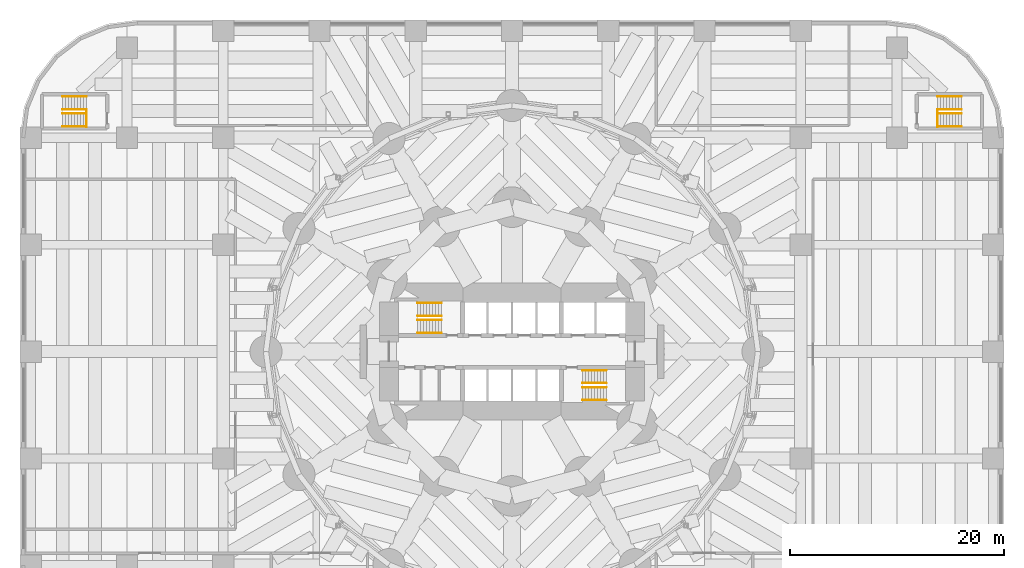
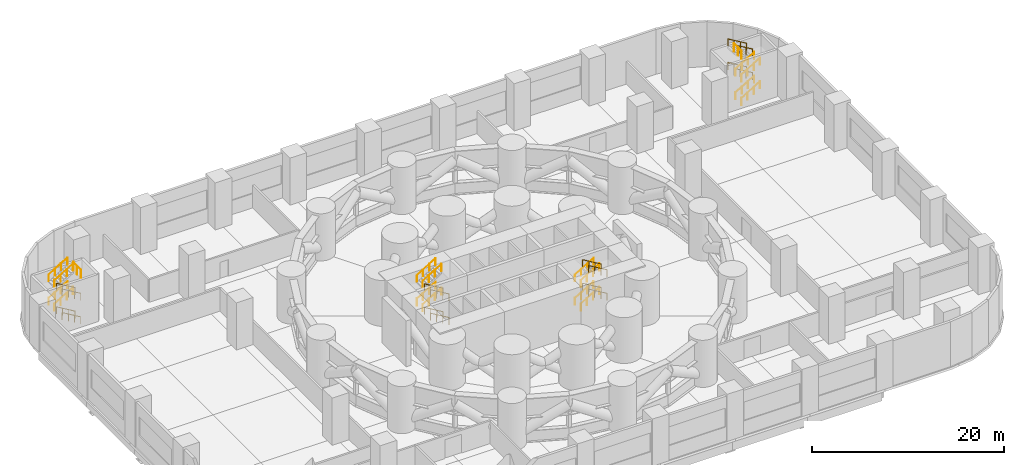
# One storey, part 14 of 14: 34 railings.
"""IFC4 building model written with IfcOpenShell, lengths in metres."""

from ifc_helpers import new_model, si_unit, direction, frame, origin, origin_2d, place, context, subcontext, project, spatial, circle, extrude, material, type_object, element, save


model = new_model("IFC4")

# Units and contexts
model_context = context("Model", 3, precision=1e-05, world=origin(), true_north=direction((0.0, 1.0)))
body_context = subcontext(model_context, "Body", "Model", "MODEL_VIEW")
ifc_project = project(units=[si_unit("LENGTHUNIT", "METRE"), si_unit("AREAUNIT", "SQUARE_METRE"), si_unit("VOLUMEUNIT", "CUBIC_METRE"), si_unit("PLANEANGLEUNIT", "RADIAN"), si_unit("MASSUNIT", "GRAM", prefix="KILO")], contexts=[model_context])

# Site, building, storey
site_placement = place(None, origin())
site = spatial("IfcSite", under=ifc_project, at=site_placement, CompositionType="ELEMENT")
building_placement = place(site_placement, origin())
building = spatial("IfcBuilding", under=site, at=building_placement, Name="Qaws Media Tower", CompositionType="ELEMENT")
storey_placement = place(building_placement, frame((0.0, 0.0, 20.0)))
storey = spatial("IfcBuildingStorey", under=building, at=storey_placement, Name="L03", CompositionType="ELEMENT", Elevation=20.0)

# Railings
ifc_material_1 = material(Name="Stainless steel and glass guard", Category="steel")
railing_type_1 = type_object("IfcRailingType", Name="Balcony guard 1100", PredefinedType="GUARDRAIL", material=ifc_material_1)
for number, where, name in (
    (1, (20.219970703125, 71.0, 6.0), "GR1 guard S3 top landing L03"),
    (2, (99.780029296875, 71.0, 6.0), "GR1 guard S4 top landing L03"),
):
    element("IfcRailing", number, at=place(storey_placement, frame(where)), inside=storey, type_object=railing_type_1, Name=name, PredefinedType="GUARDRAIL", context=body_context, shape_type="SweptSolid", body=[
        extrude(circle(Radius=0.02392578125, at=origin_2d()), frame((0.0, 0.0, 1.076171875), z_axis=(0.0, 1.0, 0.0), x_axis=(-1.0, 0.0, 0.0)), (0.0, 0.0, 1.0), 1.590087890625),
        extrude(circle(Radius=0.02099609375, at=origin_2d()), origin(), (0.0, 0.0, 1.0), 1.052001953125),
        extrude(circle(Radius=0.02099609375, at=origin_2d()), frame((0.0, 0.794921875, 0.0)), (0.0, 0.0, 1.0), 1.052001953125),
        extrude(circle(Radius=0.02099609375, at=origin_2d()), frame((0.0, 1.590087890625, 0.0)), (0.0, 0.0, 1.0), 1.052001953125),
    ])
ifc_material_2 = material(Name="Steel tube handrail", Category="steel")
railing_type_2 = type_object("IfcRailingType", Name="Stair handrail 900", PredefinedType="HANDRAIL", material=ifc_material_2)
for number, where, name in (
    (3, (53.419921875, 51.75, 0.166748046875), "HR1 handrail S1 flight 1 L03"),
    (4, (53.419921875, 52.9599609375, 0.166748046875), "HR1 handrail S1 flight 1 L03"),
):
    element("IfcRailing", number, at=place(storey_placement, frame(where)), inside=storey, type_object=railing_type_2, Name=name, PredefinedType="HANDRAIL", context=body_context, shape_type="SweptSolid", body=[
        extrude(circle(Radius=0.02392578125, at=origin_2d()), frame((0.0, 0.0, 0.8759765625), z_axis=(-0.859305625298, 0.0, 0.511462454469), x_axis=(0.0, -1.0, 0.0)), (0.0, 0.0, 1.0), 2.606689453125),
        extrude(circle(Radius=0.02099609375, at=origin_2d()), origin(), (0.0, 0.0, 1.0), 0.851806640625),
        extrude(circle(Radius=0.02099609375, at=origin_2d()), frame((-0.74658203125, 0.0, 0.4443359375)), (0.0, 0.0, 1.0), 0.851806640625),
        extrude(circle(Radius=0.02099609375, at=origin_2d()), frame((-1.493408203125, 0.0, 0.888916015625)), (0.0, 0.0, 1.0), 0.851806640625),
        extrude(circle(Radius=0.02099609375, at=origin_2d()), frame((-2.239990234375, 0.0, 1.333251953125)), (0.0, 0.0, 1.0), 0.851806640625),
    ])
for number, where, name in (
    (5, (51.179931640625, 54.550048828125, 1.666748046875), "HR1 handrail S1 flight 2 L03"),
    (6, (51.179931640625, 53.340087890625, 1.666748046875), "HR1 handrail S1 flight 2 L03"),
):
    element("IfcRailing", number, at=place(storey_placement, frame(where)), inside=storey, type_object=railing_type_2, Name=name, PredefinedType="HANDRAIL", context=body_context, shape_type="SweptSolid", body=[
        extrude(circle(Radius=0.02392578125, at=origin_2d()), frame((0.0, 0.0, 0.8759765625), z_axis=(0.859305625298, 0.0, 0.511462454469), x_axis=(0.0, 1.0, 0.0)), (0.0, 0.0, 1.0), 2.606689453125),
        extrude(circle(Radius=0.02099609375, at=origin_2d()), origin(), (0.0, 0.0, 1.0), 0.851806640625),
        extrude(circle(Radius=0.02099609375, at=origin_2d()), frame((0.74658203125, 0.0, 0.4443359375)), (0.0, 0.0, 1.0), 0.851806640625),
        extrude(circle(Radius=0.02099609375, at=origin_2d()), frame((1.493408203125, 0.0, 0.888916015625)), (0.0, 0.0, 1.0), 0.851806640625),
        extrude(circle(Radius=0.02099609375, at=origin_2d()), frame((2.239990234375, 0.0, 1.333251953125)), (0.0, 0.0, 1.0), 0.851806640625),
    ])
for number, where, name in (
    (7, (53.419921875, 51.75, 3.166748046875), "HR1 handrail S1 flight 3 L03"),
    (8, (53.419921875, 52.9599609375, 3.166748046875), "HR1 handrail S1 flight 3 L03"),
):
    element("IfcRailing", number, at=place(storey_placement, frame(where)), inside=storey, type_object=railing_type_2, Name=name, PredefinedType="HANDRAIL", context=body_context, shape_type="SweptSolid", body=[
        extrude(circle(Radius=0.02392578125, at=origin_2d()), frame((0.0, 0.0, 0.8759765625), z_axis=(-0.859305625298, 0.0, 0.511462454469), x_axis=(0.0, -1.0, 0.0)), (0.0, 0.0, 1.0), 2.606689453125),
        extrude(circle(Radius=0.02099609375, at=origin_2d()), origin(), (0.0, 0.0, 1.0), 0.851806640625),
        extrude(circle(Radius=0.02099609375, at=origin_2d()), frame((-0.74658203125, 0.0, 0.4443359375)), (0.0, 0.0, 1.0), 0.851806640625),
        extrude(circle(Radius=0.02099609375, at=origin_2d()), frame((-1.493408203125, 0.0, 0.888916015625)), (0.0, 0.0, 1.0), 0.851806640625),
        extrude(circle(Radius=0.02099609375, at=origin_2d()), frame((-2.239990234375, 0.0, 1.333251953125)), (0.0, 0.0, 1.0), 0.851806640625),
    ])
for number, where, name in (
    (9, (51.179931640625, 54.550048828125, 4.666748046875), "HR1 handrail S1 flight 4 L03"),
    (10, (51.179931640625, 53.340087890625, 4.666748046875), "HR1 handrail S1 flight 4 L03"),
    (11, (66.580078125, 48.25, 0.166748046875), "HR1 handrail S2 flight 1 L03"),
    (12, (66.580078125, 47.0400390625, 0.166748046875), "HR1 handrail S2 flight 1 L03"),
):
    element("IfcRailing", number, at=place(storey_placement, frame(where)), inside=storey, type_object=railing_type_2, Name=name, PredefinedType="HANDRAIL", context=body_context, shape_type="SweptSolid", body=[
        extrude(circle(Radius=0.02392578125, at=origin_2d()), frame((0.0, 0.0, 0.8759765625), z_axis=(0.859305625298, 0.0, 0.511462454469), x_axis=(0.0, 1.0, 0.0)), (0.0, 0.0, 1.0), 2.606689453125),
        extrude(circle(Radius=0.02099609375, at=origin_2d()), origin(), (0.0, 0.0, 1.0), 0.851806640625),
        extrude(circle(Radius=0.02099609375, at=origin_2d()), frame((0.74658203125, 0.0, 0.4443359375)), (0.0, 0.0, 1.0), 0.851806640625),
        extrude(circle(Radius=0.02099609375, at=origin_2d()), frame((1.493408203125, 0.0, 0.888916015625)), (0.0, 0.0, 1.0), 0.851806640625),
        extrude(circle(Radius=0.02099609375, at=origin_2d()), frame((2.239990234375, 0.0, 1.333251953125)), (0.0, 0.0, 1.0), 0.851806640625),
    ])
for number, where, name in (
    (13, (68.820068359375, 45.449951171875, 1.666748046875), "HR1 handrail S2 flight 2 L03"),
    (14, (68.820068359375, 46.659912109375, 1.666748046875), "HR1 handrail S2 flight 2 L03"),
):
    element("IfcRailing", number, at=place(storey_placement, frame(where)), inside=storey, type_object=railing_type_2, Name=name, PredefinedType="HANDRAIL", context=body_context, shape_type="SweptSolid", body=[
        extrude(circle(Radius=0.02392578125, at=origin_2d()), frame((0.0, 0.0, 0.8759765625), z_axis=(-0.859305625298, 0.0, 0.511462454469), x_axis=(0.0, -1.0, 0.0)), (0.0, 0.0, 1.0), 2.606689453125),
        extrude(circle(Radius=0.02099609375, at=origin_2d()), origin(), (0.0, 0.0, 1.0), 0.851806640625),
        extrude(circle(Radius=0.02099609375, at=origin_2d()), frame((-0.74658203125, 0.0, 0.4443359375)), (0.0, 0.0, 1.0), 0.851806640625),
        extrude(circle(Radius=0.02099609375, at=origin_2d()), frame((-1.493408203125, 0.0, 0.888916015625)), (0.0, 0.0, 1.0), 0.851806640625),
        extrude(circle(Radius=0.02099609375, at=origin_2d()), frame((-2.239990234375, 0.0, 1.333251953125)), (0.0, 0.0, 1.0), 0.851806640625),
    ])
for number, where, name in (
    (15, (66.580078125, 48.25, 3.166748046875), "HR1 handrail S2 flight 3 L03"),
    (16, (66.580078125, 47.0400390625, 3.166748046875), "HR1 handrail S2 flight 3 L03"),
):
    element("IfcRailing", number, at=place(storey_placement, frame(where)), inside=storey, type_object=railing_type_2, Name=name, PredefinedType="HANDRAIL", context=body_context, shape_type="SweptSolid", body=[
        extrude(circle(Radius=0.02392578125, at=origin_2d()), frame((0.0, 0.0, 0.8759765625), z_axis=(0.859305625298, 0.0, 0.511462454469), x_axis=(0.0, 1.0, 0.0)), (0.0, 0.0, 1.0), 2.606689453125),
        extrude(circle(Radius=0.02099609375, at=origin_2d()), origin(), (0.0, 0.0, 1.0), 0.851806640625),
        extrude(circle(Radius=0.02099609375, at=origin_2d()), frame((0.74658203125, 0.0, 0.4443359375)), (0.0, 0.0, 1.0), 0.851806640625),
        extrude(circle(Radius=0.02099609375, at=origin_2d()), frame((1.493408203125, 0.0, 0.888916015625)), (0.0, 0.0, 1.0), 0.851806640625),
        extrude(circle(Radius=0.02099609375, at=origin_2d()), frame((2.239990234375, 0.0, 1.333251953125)), (0.0, 0.0, 1.0), 0.851806640625),
    ])
for number, where, name in (
    (17, (68.820068359375, 45.449951171875, 4.666748046875), "HR1 handrail S2 flight 4 L03"),
    (18, (68.820068359375, 46.659912109375, 4.666748046875), "HR1 handrail S2 flight 4 L03"),
    (19, (20.219970703125, 71.050048828125, 0.166748046875), "HR1 handrail S3 flight 1 L03"),
    (20, (20.219970703125, 72.260009765625, 0.166748046875), "HR1 handrail S3 flight 1 L03"),
):
    element("IfcRailing", number, at=place(storey_placement, frame(where)), inside=storey, type_object=railing_type_2, Name=name, PredefinedType="HANDRAIL", context=body_context, shape_type="SweptSolid", body=[
        extrude(circle(Radius=0.02392578125, at=origin_2d()), frame((0.0, 0.0, 0.8759765625), z_axis=(-0.859305625298, 0.0, 0.511462454469), x_axis=(0.0, -1.0, 0.0)), (0.0, 0.0, 1.0), 2.606689453125),
        extrude(circle(Radius=0.02099609375, at=origin_2d()), origin(), (0.0, 0.0, 1.0), 0.851806640625),
        extrude(circle(Radius=0.02099609375, at=origin_2d()), frame((-0.74658203125, 0.0, 0.4443359375)), (0.0, 0.0, 1.0), 0.851806640625),
        extrude(circle(Radius=0.02099609375, at=origin_2d()), frame((-1.493408203125, 0.0, 0.888916015625)), (0.0, 0.0, 1.0), 0.851806640625),
        extrude(circle(Radius=0.02099609375, at=origin_2d()), frame((-2.239990234375, 0.0, 1.333251953125)), (0.0, 0.0, 1.0), 0.851806640625),
    ])
for number, where, name in (
    (21, (17.97998046875, 73.85009765625, 1.666748046875), "HR1 handrail S3 flight 2 L03"),
    (22, (17.97998046875, 72.639892578125, 1.666748046875), "HR1 handrail S3 flight 2 L03"),
):
    element("IfcRailing", number, at=place(storey_placement, frame(where)), inside=storey, type_object=railing_type_2, Name=name, PredefinedType="HANDRAIL", context=body_context, shape_type="SweptSolid", body=[
        extrude(circle(Radius=0.02392578125, at=origin_2d()), frame((0.0, 0.0, 0.8759765625), z_axis=(0.859305625298, 0.0, 0.511462454469), x_axis=(0.0, 1.0, 0.0)), (0.0, 0.0, 1.0), 2.606689453125),
        extrude(circle(Radius=0.02099609375, at=origin_2d()), origin(), (0.0, 0.0, 1.0), 0.851806640625),
        extrude(circle(Radius=0.02099609375, at=origin_2d()), frame((0.74658203125, 0.0, 0.4443359375)), (0.0, 0.0, 1.0), 0.851806640625),
        extrude(circle(Radius=0.02099609375, at=origin_2d()), frame((1.493408203125, 0.0, 0.888916015625)), (0.0, 0.0, 1.0), 0.851806640625),
        extrude(circle(Radius=0.02099609375, at=origin_2d()), frame((2.239990234375, 0.0, 1.333251953125)), (0.0, 0.0, 1.0), 0.851806640625),
    ])
for number, where, name in (
    (23, (20.219970703125, 71.050048828125, 3.166748046875), "HR1 handrail S3 flight 3 L03"),
    (24, (20.219970703125, 72.260009765625, 3.166748046875), "HR1 handrail S3 flight 3 L03"),
):
    element("IfcRailing", number, at=place(storey_placement, frame(where)), inside=storey, type_object=railing_type_2, Name=name, PredefinedType="HANDRAIL", context=body_context, shape_type="SweptSolid", body=[
        extrude(circle(Radius=0.02392578125, at=origin_2d()), frame((0.0, 0.0, 0.8759765625), z_axis=(-0.859305625298, 0.0, 0.511462454469), x_axis=(0.0, -1.0, 0.0)), (0.0, 0.0, 1.0), 2.606689453125),
        extrude(circle(Radius=0.02099609375, at=origin_2d()), origin(), (0.0, 0.0, 1.0), 0.851806640625),
        extrude(circle(Radius=0.02099609375, at=origin_2d()), frame((-0.74658203125, 0.0, 0.4443359375)), (0.0, 0.0, 1.0), 0.851806640625),
        extrude(circle(Radius=0.02099609375, at=origin_2d()), frame((-1.493408203125, 0.0, 0.888916015625)), (0.0, 0.0, 1.0), 0.851806640625),
        extrude(circle(Radius=0.02099609375, at=origin_2d()), frame((-2.239990234375, 0.0, 1.333251953125)), (0.0, 0.0, 1.0), 0.851806640625),
    ])
for number, where, name in (
    (25, (17.97998046875, 73.85009765625, 4.666748046875), "HR1 handrail S3 flight 4 L03"),
    (26, (17.97998046875, 72.639892578125, 4.666748046875), "HR1 handrail S3 flight 4 L03"),
    (27, (99.780029296875, 71.050048828125, 0.166748046875), "HR1 handrail S4 flight 1 L03"),
    (28, (99.780029296875, 72.260009765625, 0.166748046875), "HR1 handrail S4 flight 1 L03"),
):
    element("IfcRailing", number, at=place(storey_placement, frame(where)), inside=storey, type_object=railing_type_2, Name=name, PredefinedType="HANDRAIL", context=body_context, shape_type="SweptSolid", body=[
        extrude(circle(Radius=0.02392578125, at=origin_2d()), frame((0.0, 0.0, 0.8759765625), z_axis=(0.859305625298, 0.0, 0.511462454469), x_axis=(0.0, 1.0, 0.0)), (0.0, 0.0, 1.0), 2.606689453125),
        extrude(circle(Radius=0.02099609375, at=origin_2d()), origin(), (0.0, 0.0, 1.0), 0.851806640625),
        extrude(circle(Radius=0.02099609375, at=origin_2d()), frame((0.74658203125, 0.0, 0.4443359375)), (0.0, 0.0, 1.0), 0.851806640625),
        extrude(circle(Radius=0.02099609375, at=origin_2d()), frame((1.493408203125, 0.0, 0.888916015625)), (0.0, 0.0, 1.0), 0.851806640625),
        extrude(circle(Radius=0.02099609375, at=origin_2d()), frame((2.239990234375, 0.0, 1.333251953125)), (0.0, 0.0, 1.0), 0.851806640625),
    ])
for number, where, name in (
    (29, (102.02001953125, 73.85009765625, 1.666748046875), "HR1 handrail S4 flight 2 L03"),
    (30, (102.02001953125, 72.639892578125, 1.666748046875), "HR1 handrail S4 flight 2 L03"),
):
    element("IfcRailing", number, at=place(storey_placement, frame(where)), inside=storey, type_object=railing_type_2, Name=name, PredefinedType="HANDRAIL", context=body_context, shape_type="SweptSolid", body=[
        extrude(circle(Radius=0.02392578125, at=origin_2d()), frame((0.0, 0.0, 0.8759765625), z_axis=(-0.859305625298, 0.0, 0.511462454469), x_axis=(0.0, -1.0, 0.0)), (0.0, 0.0, 1.0), 2.606689453125),
        extrude(circle(Radius=0.02099609375, at=origin_2d()), origin(), (0.0, 0.0, 1.0), 0.851806640625),
        extrude(circle(Radius=0.02099609375, at=origin_2d()), frame((-0.74658203125, 0.0, 0.4443359375)), (0.0, 0.0, 1.0), 0.851806640625),
        extrude(circle(Radius=0.02099609375, at=origin_2d()), frame((-1.493408203125, 0.0, 0.888916015625)), (0.0, 0.0, 1.0), 0.851806640625),
        extrude(circle(Radius=0.02099609375, at=origin_2d()), frame((-2.239990234375, 0.0, 1.333251953125)), (0.0, 0.0, 1.0), 0.851806640625),
    ])
for number, where, name in (
    (31, (99.780029296875, 71.050048828125, 3.166748046875), "HR1 handrail S4 flight 3 L03"),
    (32, (99.780029296875, 72.260009765625, 3.166748046875), "HR1 handrail S4 flight 3 L03"),
):
    element("IfcRailing", number, at=place(storey_placement, frame(where)), inside=storey, type_object=railing_type_2, Name=name, PredefinedType="HANDRAIL", context=body_context, shape_type="SweptSolid", body=[
        extrude(circle(Radius=0.02392578125, at=origin_2d()), frame((0.0, 0.0, 0.8759765625), z_axis=(0.859305625298, 0.0, 0.511462454469), x_axis=(0.0, 1.0, 0.0)), (0.0, 0.0, 1.0), 2.606689453125),
        extrude(circle(Radius=0.02099609375, at=origin_2d()), origin(), (0.0, 0.0, 1.0), 0.851806640625),
        extrude(circle(Radius=0.02099609375, at=origin_2d()), frame((0.74658203125, 0.0, 0.4443359375)), (0.0, 0.0, 1.0), 0.851806640625),
        extrude(circle(Radius=0.02099609375, at=origin_2d()), frame((1.493408203125, 0.0, 0.888916015625)), (0.0, 0.0, 1.0), 0.851806640625),
        extrude(circle(Radius=0.02099609375, at=origin_2d()), frame((2.239990234375, 0.0, 1.333251953125)), (0.0, 0.0, 1.0), 0.851806640625),
    ])
for number, where, name in (
    (33, (102.02001953125, 73.85009765625, 4.666748046875), "HR1 handrail S4 flight 4 L03"),
    (34, (102.02001953125, 72.639892578125, 4.666748046875), "HR1 handrail S4 flight 4 L03"),
):
    element("IfcRailing", number, at=place(storey_placement, frame(where)), inside=storey, type_object=railing_type_2, Name=name, PredefinedType="HANDRAIL", context=body_context, shape_type="SweptSolid", body=[
        extrude(circle(Radius=0.02392578125, at=origin_2d()), frame((0.0, 0.0, 0.8759765625), z_axis=(-0.859305625298, 0.0, 0.511462454469), x_axis=(0.0, -1.0, 0.0)), (0.0, 0.0, 1.0), 2.606689453125),
        extrude(circle(Radius=0.02099609375, at=origin_2d()), origin(), (0.0, 0.0, 1.0), 0.851806640625),
        extrude(circle(Radius=0.02099609375, at=origin_2d()), frame((-0.74658203125, 0.0, 0.4443359375)), (0.0, 0.0, 1.0), 0.851806640625),
        extrude(circle(Radius=0.02099609375, at=origin_2d()), frame((-1.493408203125, 0.0, 0.888916015625)), (0.0, 0.0, 1.0), 0.851806640625),
        extrude(circle(Radius=0.02099609375, at=origin_2d()), frame((-2.239990234375, 0.0, 1.333251953125)), (0.0, 0.0, 1.0), 0.851806640625),
    ])

save(model, "model.ifc")
